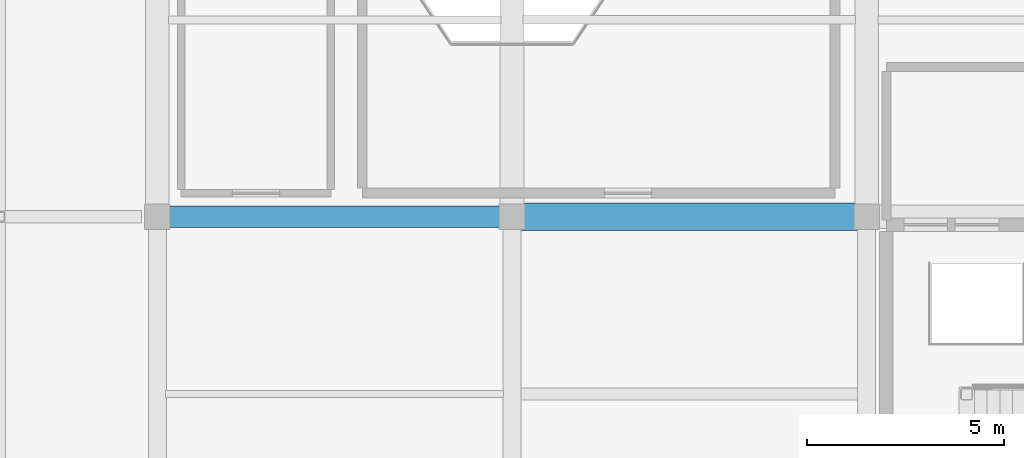
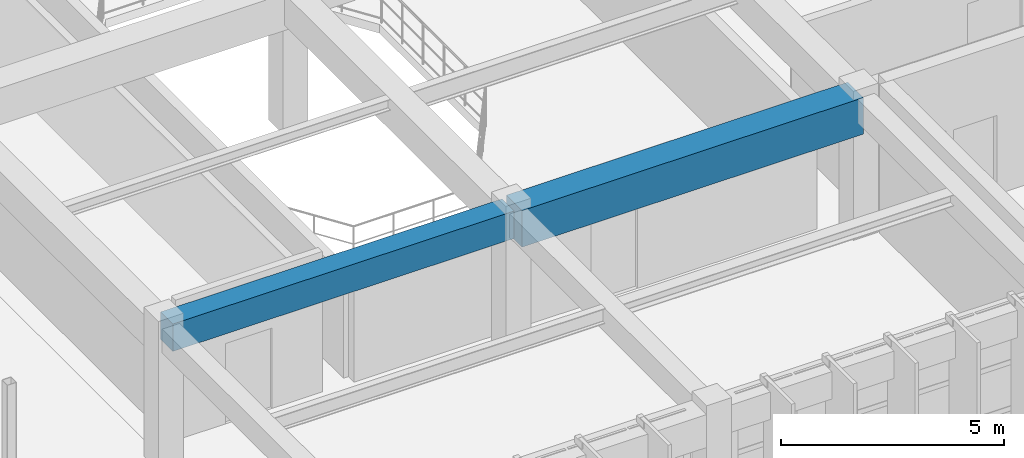
# One storey, part 22 of 80: 2 beams.
"""IFC4 building model written with IfcOpenShell, lengths in metres."""

import ifcopenshell
import ifcopenshell.guid

model = None  # the IFC model being written
_history = None  # IfcOwnerHistory: only IFC2X3 demands one
_inside = {}  # id of a spatial element -> (the spatial element, [elements in it])
_under = {}  # id of a project, library or spatial element -> (it, [spatial elements below it])
_declared = {}  # id of a project -> (the project, [libraries it declares])
_typed = {}  # id of a type object -> (the type object, [elements of that type])
_made_of = {}  # id of a material, layer set ... -> (it, [elements and type objects made of it])


def new_model(schema):
    """Start an empty IFC model of exactly this schema.

    Asked for "IFC4X3", IfcOpenShell would pick the latest addendum, in which some entities
    have other attributes; the version numbers below select the first issue.
    IFC2X3 requires an IfcOwnerHistory on every rooted entity: one is made here for all.
    """
    global model, _history
    if schema == "IFC4X3":
        model = ifcopenshell.file(schema_version=(4, 3, 0, 0))
    else:
        model = ifcopenshell.file(schema=schema)
    _inside.clear()
    _under.clear()
    _declared.clear()
    _typed.clear()
    _made_of.clear()
    _history = None
    if model.schema == "IFC2X3":
        org = make("IfcOrganization", Name="unknown")
        user = make(
            "IfcPersonAndOrganization",
            ThePerson=make("IfcPerson", FamilyName="unknown"),
            TheOrganization=org,
        )
        app = make(
            "IfcApplication",
            ApplicationDeveloper=org,
            Version="unknown",
            ApplicationFullName="unknown",
            ApplicationIdentifier="unknown",
        )
        _history = make(
            "IfcOwnerHistory",
            OwningUser=user,
            OwningApplication=app,
            ChangeAction="ADDED",
            CreationDate=0,
        )
    return model


def make(cls, **values):
    """One entity of the class cls with the attributes given. An attribute that is None is left unset."""
    return model.create_entity(
        cls, **{name: value for name, value in values.items() if value is not None}
    )


def rooted(cls, **values):
    """An entity with a GlobalId (a new one), such as an element, a storey or a relation."""
    return make(cls, GlobalId=ifcopenshell.guid.new(), OwnerHistory=_history, **values)


def si_unit(unit_type, name, prefix=None):
    """IfcSIUnit, for example si_unit("LENGTHUNIT", "METRE", prefix="MILLI")."""
    return make("IfcSIUnit", UnitType=unit_type, Prefix=prefix, Name=name)


def assignment(units):
    """IfcUnitAssignment: the units of a project."""
    return None if units is None else make("IfcUnitAssignment", Units=units)


def point(xyz):
    """IfcCartesianPoint."""
    return None if xyz is None else make("IfcCartesianPoint", Coordinates=xyz)


def direction(xyz):
    """IfcDirection."""
    return None if xyz is None else make("IfcDirection", DirectionRatios=xyz)


def frame(location, z_axis=None, x_axis=None):
    """IfcAxis2Placement3D, a coordinate frame: its origin and axes. An axis left out is left unset."""
    return make(
        "IfcAxis2Placement3D",
        Location=point(location),
        Axis=direction(z_axis),
        RefDirection=direction(x_axis),
    )


def frame_2d(location, x_axis=None):
    """IfcAxis2Placement2D, a coordinate frame in the plane: its origin and x axis."""
    return make(
        "IfcAxis2Placement2D", Location=point(location), RefDirection=direction(x_axis)
    )


def origin():
    """The frame at (0, 0, 0) with its axes left unset."""
    return frame((0.0, 0.0, 0.0))


def origin_2d():
    """The frame at (0, 0) in the plane with its x axis left unset."""
    return frame_2d((0.0, 0.0))


def place(relative_to, where):
    """IfcLocalPlacement: puts the frame where relative to a parent placement (None: the world)."""
    return make(
        "IfcLocalPlacement", PlacementRelTo=relative_to, RelativePlacement=where
    )


def context(
    kind, dimensions, precision=None, world=None, true_north=None, identifier=None
):
    """IfcGeometricRepresentationContext, for example the 3D "Model" context."""
    return make(
        "IfcGeometricRepresentationContext",
        ContextIdentifier=identifier,
        ContextType=kind,
        CoordinateSpaceDimension=dimensions,
        Precision=precision,
        WorldCoordinateSystem=world,
        TrueNorth=true_north,
    )


def subcontext(parent, identifier, kind, view, scale=None):
    """IfcGeometricRepresentationSubContext, for example "Body" below "Model"."""
    return make(
        "IfcGeometricRepresentationSubContext",
        ContextIdentifier=identifier,
        ContextType=kind,
        ParentContext=parent,
        TargetScale=scale,
        TargetView=view,
    )


def project(units=None, contexts=None):
    """IfcProject with its units and contexts."""
    return rooted(
        "IfcProject",
        Name="project",
        RepresentationContexts=contexts,
        UnitsInContext=assignment(units),
    )


def spatial(cls, under=None, at=None, **own):
    """A site, building, storey or space (cls), placed at a placement, below another one or the project."""
    s = rooted(cls, ObjectPlacement=at, **own)
    if under is not None:
        _under.setdefault(under.id(), (under, []))[1].append(s)
    return s


def profile(cls, at=None, kind="AREA", **sizes):
    """A parametric profile (cls). Its sizes go by their IFC names, for example OverallWidth=200.0."""
    return make(cls, ProfileType=kind, Position=at, **sizes)


def rectangle(**sizes):
    """IfcRectangleProfileDef."""
    return profile("IfcRectangleProfileDef", **sizes)


def extrude(swept, where, along, depth):
    """IfcExtrudedAreaSolid: the profile swept, set in the frame where, extruded along a direction by depth."""
    return make(
        "IfcExtrudedAreaSolid",
        SweptArea=swept,
        Position=where,
        ExtrudedDirection=direction(along),
        Depth=depth,
    )


def shape(context_of_items, identifier, shape_type, items):
    """IfcShapeRepresentation: the items that make up one representation, for example the "Body"."""
    return make(
        "IfcShapeRepresentation",
        ContextOfItems=context_of_items,
        RepresentationIdentifier=identifier,
        RepresentationType=shape_type,
        Items=items,
    )


def material(Name=None, Category=None):
    """IfcMaterial."""
    return make("IfcMaterial", Name=Name, Category=Category)


def material_profile(
    of_material, cross_section, Name=None, Category=None, Priority=None
):
    """IfcMaterialProfile: a cross section and its material."""
    return make(
        "IfcMaterialProfile",
        Name=Name,
        Material=of_material,
        Profile=cross_section,
        Priority=Priority,
        Category=Category,
    )


def profile_set(profiles, Name=None, composite=None):
    """IfcMaterialProfileSet."""
    return make(
        "IfcMaterialProfileSet",
        Name=Name,
        MaterialProfiles=profiles,
        CompositeProfile=composite,
    )


def made_of(thing, what):
    """Note that an element or type object is made of a material, layer set ...; save() writes the relation."""
    if what is not None:
        _made_of.setdefault(what.id(), (what, []))[1].append(thing)
    return thing


def type_object(cls, material=None, **own):
    """A type object (cls), such as IfcWallType, which elements share."""
    return made_of(rooted(cls, **own), material)


def element(
    cls,
    number,
    at=None,
    inside=None,
    cuts=None,
    type_object=None,
    material=None,
    context=None,
    identifier="Body",
    shape_type=None,
    held_by="IfcProductDefinitionShape",
    body=None,
    shapes=None,
    **own,
):
    """One element of the class cls, such as IfcWall. Its Tag is "e" and its number.

    at: its placement. inside: the storey or other place that contains it. cuts: it is an
    opening in that element (IfcRelVoidsElement). A single representation is given by context,
    identifier, shape_type and body (its items); several are given by shapes. held_by: the class
    of the entity that holds the representations. save() writes the other relations.
    """
    e = rooted(cls, Tag="e%d" % number, ObjectPlacement=at, **own)
    if body is not None:
        shapes = [shape(context, identifier, shape_type, body)]
    if shapes is not None:
        e.Representation = make(held_by, Representations=shapes)
    if inside is not None:
        _inside.setdefault(inside.id(), (inside, []))[1].append(e)
    if cuts is not None:
        rooted(
            "IfcRelVoidsElement", RelatingBuildingElement=cuts, RelatedOpeningElement=e
        )
    if type_object is not None:
        _typed.setdefault(type_object.id(), (type_object, []))[1].append(e)
    return made_of(e, material)


def aggregate(whole, parts):
    """IfcRelAggregates: a whole, such as a stair, and the parts it consists of."""
    return rooted("IfcRelAggregates", RelatingObject=whole, RelatedObjects=parts)


def save(model, path):
    """Write the relations noted so far, then the file.

    IfcRelAggregates (storeys below a building ...), IfcRelContainedInSpatialStructure (elements
    in a storey), IfcRelDefinesByType, IfcRelAssociatesMaterial and IfcRelDeclares: one each for
    every whole, place, type object, material and project.
    """
    for whole, parts in _under.values():
        aggregate(whole, parts)
    for where, things in _inside.values():
        rooted(
            "IfcRelContainedInSpatialStructure",
            RelatedElements=things,
            RelatingStructure=where,
        )
    for kind, things in _typed.values():
        rooted("IfcRelDefinesByType", RelatedObjects=things, RelatingType=kind)
    for what, things in _made_of.values():
        rooted("IfcRelAssociatesMaterial", RelatedObjects=things, RelatingMaterial=what)
    for by, libraries in _declared.values():
        rooted("IfcRelDeclares", RelatingContext=by, RelatedDefinitions=libraries)
    model.write(path)


model = new_model("IFC4")

# Units and contexts
model_context = context("Model", 3, precision=1e-05, world=origin(), true_north=direction((0.0, 1.0)))
body_context = subcontext(model_context, "Body", "Model", "MODEL_VIEW")
ifc_project = project(units=[si_unit("LENGTHUNIT", "METRE"), si_unit("AREAUNIT", "SQUARE_METRE"), si_unit("VOLUMEUNIT", "CUBIC_METRE"), si_unit("PLANEANGLEUNIT", "RADIAN"), si_unit("MASSUNIT", "GRAM", prefix="KILO")], contexts=[model_context])

# Site, building, storey
site_placement = place(None, origin())
site = spatial("IfcSite", under=ifc_project, at=site_placement, CompositionType="ELEMENT")
building_placement = place(site_placement, origin())
building = spatial("IfcBuilding", under=site, at=building_placement, Name="Miravela Opera House", CompositionType="ELEMENT")
storey_placement = place(building_placement, frame((0.0, 0.0, 17.679931640625)))
storey = spatial("IfcBuildingStorey", under=building, at=storey_placement, Name="L04", CompositionType="ELEMENT", Elevation=17.679931640625)

# Beams
ifc_material_1 = material(Name="Concrete C35/45", Category="concrete")
ifc_material_profile_1 = material_profile(ifc_material_1, rectangle(XDim=0.550048828125, YDim=0.75, at=origin_2d()), Name="RC-BM-550X750")
ifc_profile_set_1 = profile_set([ifc_material_profile_1])
beam_type_1 = type_object("IfcBeamType", Name="STR-BM-RC550X750", PredefinedType="BEAM", material=ifc_profile_set_1)
beam_1_placement = place(storey_placement, frame((27.080078125, 46.0, 3.465087890625), z_axis=(1.0, 0.0, 0.0), x_axis=(0.0, 1.0, 0.0)))
element("IfcBeam", 1, at=beam_1_placement, inside=storey, type_object=beam_type_1, Name="Floor Girder L04 4-5/F", PredefinedType="BEAM", context=body_context, shape_type="SweptSolid", body=[
    extrude(rectangle(XDim=0.550048828125, YDim=0.75, at=origin_2d()), origin(), (0.0, 0.0, 1.0), 8.83984375),
])
ifc_material_2 = material(Name="Concrete C40/50", Category="concrete")
ifc_material_profile_2 = material_profile(ifc_material_2, rectangle(XDim=0.699951171875, YDim=1.0, at=origin_2d()), Name="RC-BM-700X1000")
ifc_profile_set_2 = profile_set([ifc_material_profile_2])
beam_type_2 = type_object("IfcBeamType", Name="STR-BM-RC700X1000", PredefinedType="BEAM", material=ifc_profile_set_2)
beam_2_placement = place(storey_placement, frame((36.080078125, 46.0, 3.340087890625), z_axis=(1.0, 0.0, 0.0), x_axis=(0.0, 1.0, 0.0)))
element("IfcBeam", 2, at=beam_2_placement, inside=storey, type_object=beam_type_2, Name="Floor Girder L04 5-6/F", PredefinedType="BEAM", context=body_context, shape_type="SweptSolid", body=[
    extrude(rectangle(XDim=0.699951171875, YDim=1.0, at=origin_2d()), origin(), (0.0, 0.0, 1.0), 8.83984375),
])

save(model, "model.ifc")
